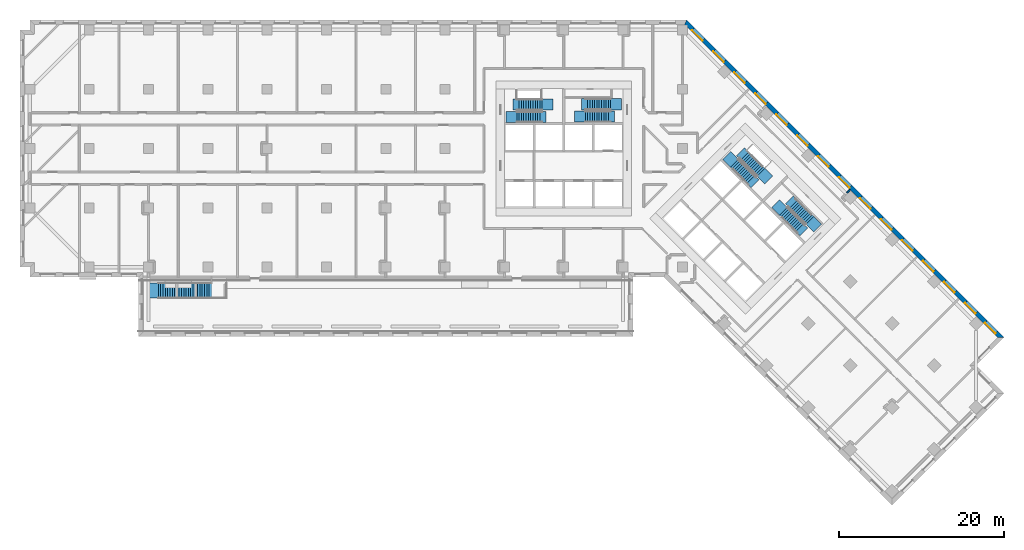
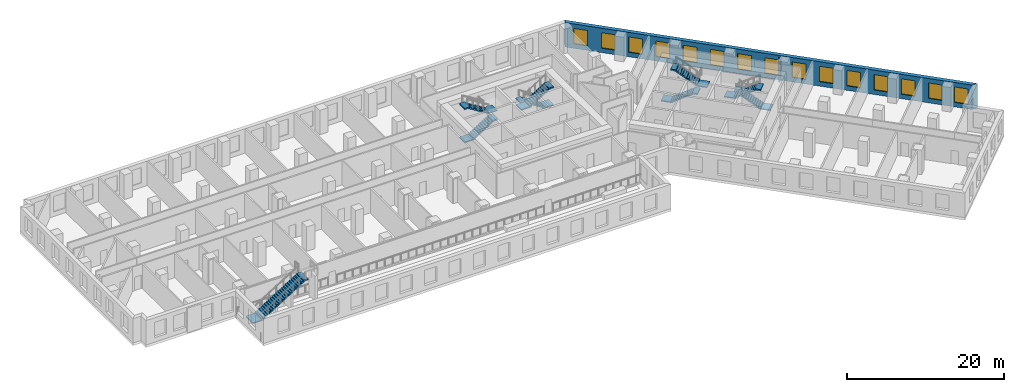
# One storey, part 11 of 14: 15 windows, 9 stair flights, 2 walls, 15 openings, 5 elements without a shape of their own.
"""IFC4 building model written with IfcOpenShell, lengths in metres."""

from ifc_helpers import new_model, si_unit, direction, frame, frame_2d, origin, place, context, subcontext, project, spatial, polyline, rectangle, outline, extrude, material, layer, layer_set, type_object, element, fill, aggregate, save


model = new_model("IFC4")

# Units and contexts
model_context = context("Model", 3, precision=1e-05, world=origin(), true_north=direction((0.0, 1.0)))
body_context = subcontext(model_context, "Body", "Model", "MODEL_VIEW")
ifc_project = project(units=[si_unit("LENGTHUNIT", "METRE"), si_unit("AREAUNIT", "SQUARE_METRE"), si_unit("VOLUMEUNIT", "CUBIC_METRE"), si_unit("PLANEANGLEUNIT", "RADIAN"), si_unit("MASSUNIT", "GRAM", prefix="KILO")], contexts=[model_context])

# Site, building, storey
site_placement = place(None, origin())
site = spatial("IfcSite", under=ifc_project, at=site_placement, CompositionType="ELEMENT")
building_placement = place(site_placement, origin())
building = spatial("IfcBuilding", under=site, at=building_placement, Name="Windrow Commons", CompositionType="ELEMENT")
storey_placement = place(building_placement, frame((0.0, 0.0, 18.6)))
storey = spatial("IfcBuildingStorey", under=building, at=storey_placement, Name="L04", CompositionType="ELEMENT", Elevation=18.6)

# Wall, openings, windows
ifc_material_1 = material(Name="Brick masonry, red clay brick", Category="masonry")
ifc_layer_1 = layer(ifc_material_1, 0.55)
ifc_layer_set_1 = layer_set([ifc_layer_1], Name="Brick facade wall 550")
wall_type_1 = type_object("IfcWallType", Name="Brick facade wall 550", PredefinedType="SOLIDWALL", material=ifc_layer_set_1)
wall_1_placement = place(storey_placement, frame((117.8434, 34.6648, 0.0), z_axis=(0.0, 0.0, 1.0), x_axis=(-0.7071067812, 0.7071067812, 0.0)))
wall_1 = element("IfcWall", 1, at=wall_1_placement, inside=storey, type_object=wall_type_1, Name="Brick facade wall L04 4", PredefinedType="SOLIDWALL", context=body_context, shape_type="SweptSolid", body=[
    extrude(outline(polyline([(-0.275, -0.275), (54.222, -0.275), (53.9942, 0.275), (0.275, 0.275), (-0.275, -0.275)])), origin(), (0.0, 0.0, 1.0), 3.8),
])
opening_1_placement = place(wall_1_placement, frame((0.8, 0.0, 0.7)))
opening_1 = element("IfcOpeningElement", 2, at=opening_1_placement, cuts=wall_1, Name="Opening W2B", PredefinedType="OPENING", context=body_context, shape_type="SweptSolid", body=[
    extrude(rectangle(XDim=1.8, YDim=2.4, at=frame_2d((0.9, 1.2))), frame((0.0, 0.285, 0.0), z_axis=(0.0, -1.0, 0.0), x_axis=(1.0, 0.0, 0.0)), (0.0, 0.0, 1.0), 0.57),
])
opening_2_placement = place(wall_1_placement, frame((4.225, 0.0, 0.7)))
opening_2 = element("IfcOpeningElement", 3, at=opening_2_placement, cuts=wall_1, Name="Opening W2B", PredefinedType="OPENING", context=body_context, shape_type="SweptSolid", body=[
    extrude(rectangle(XDim=1.8, YDim=2.4, at=frame_2d((0.9, 1.2))), frame((0.0, 0.285, 0.0), z_axis=(0.0, -1.0, 0.0), x_axis=(1.0, 0.0, 0.0)), (0.0, 0.0, 1.0), 0.57),
])
opening_3_placement = place(wall_1_placement, frame((7.825, 0.0, 0.7)))
opening_3 = element("IfcOpeningElement", 4, at=opening_3_placement, cuts=wall_1, Name="Opening W2B", PredefinedType="OPENING", context=body_context, shape_type="SweptSolid", body=[
    extrude(rectangle(XDim=1.8, YDim=2.4, at=frame_2d((0.9, 1.2))), frame((0.0, 0.285, 0.0), z_axis=(0.0, -1.0, 0.0), x_axis=(1.0, 0.0, 0.0)), (0.0, 0.0, 1.0), 0.57),
])
opening_4_placement = place(wall_1_placement, frame((11.425, 0.0, 0.7)))
opening_4 = element("IfcOpeningElement", 5, at=opening_4_placement, cuts=wall_1, Name="Opening W2B", PredefinedType="OPENING", context=body_context, shape_type="SweptSolid", body=[
    extrude(rectangle(XDim=1.8, YDim=2.4, at=frame_2d((0.9, 1.2))), frame((0.0, 0.285, 0.0), z_axis=(0.0, -1.0, 0.0), x_axis=(1.0, 0.0, 0.0)), (0.0, 0.0, 1.0), 0.57),
])
opening_5_placement = place(wall_1_placement, frame((15.025, 0.0, 0.7)))
opening_5 = element("IfcOpeningElement", 6, at=opening_5_placement, cuts=wall_1, Name="Opening W2B", PredefinedType="OPENING", context=body_context, shape_type="SweptSolid", body=[
    extrude(rectangle(XDim=1.8, YDim=2.4, at=frame_2d((0.9, 1.2))), frame((0.0, 0.285, 0.0), z_axis=(0.0, -1.0, 0.0), x_axis=(1.0, 0.0, 0.0)), (0.0, 0.0, 1.0), 0.57),
])
opening_6_placement = place(wall_1_placement, frame((18.625, 0.0, 0.7)))
opening_6 = element("IfcOpeningElement", 7, at=opening_6_placement, cuts=wall_1, Name="Opening W2B", PredefinedType="OPENING", context=body_context, shape_type="SweptSolid", body=[
    extrude(rectangle(XDim=1.8, YDim=2.4, at=frame_2d((0.9, 1.2))), frame((0.0, 0.285, 0.0), z_axis=(0.0, -1.0, 0.0), x_axis=(1.0, 0.0, 0.0)), (0.0, 0.0, 1.0), 0.57),
])
opening_7_placement = place(wall_1_placement, frame((22.225, 0.0, 0.7)))
opening_7 = element("IfcOpeningElement", 8, at=opening_7_placement, cuts=wall_1, Name="Opening W2B", PredefinedType="OPENING", context=body_context, shape_type="SweptSolid", body=[
    extrude(rectangle(XDim=1.8, YDim=2.4, at=frame_2d((0.9, 1.2))), frame((0.0, 0.285, 0.0), z_axis=(0.0, -1.0, 0.0), x_axis=(1.0, 0.0, 0.0)), (0.0, 0.0, 1.0), 0.57),
])
opening_8_placement = place(wall_1_placement, frame((25.825, 0.0, 0.7)))
opening_8 = element("IfcOpeningElement", 9, at=opening_8_placement, cuts=wall_1, Name="Opening W2B", PredefinedType="OPENING", context=body_context, shape_type="SweptSolid", body=[
    extrude(rectangle(XDim=1.8, YDim=2.4, at=frame_2d((0.9, 1.2))), frame((0.0, 0.285, 0.0), z_axis=(0.0, -1.0, 0.0), x_axis=(1.0, 0.0, 0.0)), (0.0, 0.0, 1.0), 0.57),
])
opening_9_placement = place(wall_1_placement, frame((29.425, 0.0, 0.7)))
opening_9 = element("IfcOpeningElement", 10, at=opening_9_placement, cuts=wall_1, Name="Opening W2B", PredefinedType="OPENING", context=body_context, shape_type="SweptSolid", body=[
    extrude(rectangle(XDim=1.8, YDim=2.4, at=frame_2d((0.9, 1.2))), frame((0.0, 0.285, 0.0), z_axis=(0.0, -1.0, 0.0), x_axis=(1.0, 0.0, 0.0)), (0.0, 0.0, 1.0), 0.57),
])
opening_10_placement = place(wall_1_placement, frame((33.025, 0.0, 0.7)))
opening_10 = element("IfcOpeningElement", 11, at=opening_10_placement, cuts=wall_1, Name="Opening W2B", PredefinedType="OPENING", context=body_context, shape_type="SweptSolid", body=[
    extrude(rectangle(XDim=1.8, YDim=2.4, at=frame_2d((0.9, 1.2))), frame((0.0, 0.285, 0.0), z_axis=(0.0, -1.0, 0.0), x_axis=(1.0, 0.0, 0.0)), (0.0, 0.0, 1.0), 0.57),
])
opening_11_placement = place(wall_1_placement, frame((36.625, 0.0, 0.7)))
opening_11 = element("IfcOpeningElement", 12, at=opening_11_placement, cuts=wall_1, Name="Opening W2B", PredefinedType="OPENING", context=body_context, shape_type="SweptSolid", body=[
    extrude(rectangle(XDim=1.8, YDim=2.4, at=frame_2d((0.9, 1.2))), frame((0.0, 0.285, 0.0), z_axis=(0.0, -1.0, 0.0), x_axis=(1.0, 0.0, 0.0)), (0.0, 0.0, 1.0), 0.57),
])
opening_12_placement = place(wall_1_placement, frame((40.225, 0.0, 0.7)))
opening_12 = element("IfcOpeningElement", 13, at=opening_12_placement, cuts=wall_1, Name="Opening W2B", PredefinedType="OPENING", context=body_context, shape_type="SweptSolid", body=[
    extrude(rectangle(XDim=1.8, YDim=2.4, at=frame_2d((0.9, 1.2))), frame((0.0, 0.285, 0.0), z_axis=(0.0, -1.0, 0.0), x_axis=(1.0, 0.0, 0.0)), (0.0, 0.0, 1.0), 0.57),
])
opening_13_placement = place(wall_1_placement, frame((43.825, 0.0, 0.7)))
opening_13 = element("IfcOpeningElement", 14, at=opening_13_placement, cuts=wall_1, Name="Opening W2B", PredefinedType="OPENING", context=body_context, shape_type="SweptSolid", body=[
    extrude(rectangle(XDim=1.8, YDim=2.4, at=frame_2d((0.9, 1.2))), frame((0.0, 0.285, 0.0), z_axis=(0.0, -1.0, 0.0), x_axis=(1.0, 0.0, 0.0)), (0.0, 0.0, 1.0), 0.57),
])
opening_14_placement = place(wall_1_placement, frame((47.425, 0.0, 0.7)))
opening_14 = element("IfcOpeningElement", 15, at=opening_14_placement, cuts=wall_1, Name="Opening W2B", PredefinedType="OPENING", context=body_context, shape_type="SweptSolid", body=[
    extrude(rectangle(XDim=1.8, YDim=2.4, at=frame_2d((0.9, 1.2))), frame((0.0, 0.285, 0.0), z_axis=(0.0, -1.0, 0.0), x_axis=(1.0, 0.0, 0.0)), (0.0, 0.0, 1.0), 0.57),
])
opening_15_placement = place(wall_1_placement, frame((51.0596, 0.0, 0.7)))
opening_15 = element("IfcOpeningElement", 16, at=opening_15_placement, cuts=wall_1, Name="Opening W2B", PredefinedType="OPENING", context=body_context, shape_type="SweptSolid", body=[
    extrude(rectangle(XDim=1.8, YDim=2.4, at=frame_2d((0.9, 1.2))), frame((0.0, 0.285, 0.0), z_axis=(0.0, -1.0, 0.0), x_axis=(1.0, 0.0, 0.0)), (0.0, 0.0, 1.0), 0.57),
])
ifc_material_2 = material(Name="Clear float glass in anodised aluminium frame", Category="aluminium")
window_type = type_object("IfcWindowType", Name="Window W2 podium 1800x2400", PartitioningType="SINGLE_PANEL", PredefinedType="WINDOW", material=ifc_material_2)
window_1_placement = place(opening_1_placement, origin())
window_1 = element("IfcWindow", 17, at=window_1_placement, inside=storey, type_object=window_type, Name="Window L04 4.1", OverallHeight=2.4, OverallWidth=1.8, PartitioningType="SINGLE_PANEL", PredefinedType="WINDOW", context=body_context, shape_type="SweptSolid", body=[
    extrude(rectangle(XDim=1.8, YDim=2.4, at=frame_2d((0.9, 1.2))), frame((0.0, 0.155, 0.0), z_axis=(0.0, -1.0, 0.0), x_axis=(1.0, 0.0, 0.0)), (0.0, 0.0, 1.0), 0.06),
])
fill(opening_1, window_1)
window_2_placement = place(opening_2_placement, origin())
window_2 = element("IfcWindow", 18, at=window_2_placement, inside=storey, type_object=window_type, Name="Window L04 4.2", OverallHeight=2.4, OverallWidth=1.8, PartitioningType="SINGLE_PANEL", PredefinedType="WINDOW", context=body_context, shape_type="SweptSolid", body=[
    extrude(rectangle(XDim=1.8, YDim=2.4, at=frame_2d((0.9, 1.2))), frame((0.0, 0.155, 0.0), z_axis=(0.0, -1.0, 0.0), x_axis=(1.0, 0.0, 0.0)), (0.0, 0.0, 1.0), 0.06),
])
fill(opening_2, window_2)
window_3_placement = place(opening_3_placement, origin())
window_3 = element("IfcWindow", 19, at=window_3_placement, inside=storey, type_object=window_type, Name="Window L04 4.3", OverallHeight=2.4, OverallWidth=1.8, PartitioningType="SINGLE_PANEL", PredefinedType="WINDOW", context=body_context, shape_type="SweptSolid", body=[
    extrude(rectangle(XDim=1.8, YDim=2.4, at=frame_2d((0.9, 1.2))), frame((0.0, 0.155, 0.0), z_axis=(0.0, -1.0, 0.0), x_axis=(1.0, 0.0, 0.0)), (0.0, 0.0, 1.0), 0.06),
])
fill(opening_3, window_3)
window_4_placement = place(opening_4_placement, origin())
window_4 = element("IfcWindow", 20, at=window_4_placement, inside=storey, type_object=window_type, Name="Window L04 4.4", OverallHeight=2.4, OverallWidth=1.8, PartitioningType="SINGLE_PANEL", PredefinedType="WINDOW", context=body_context, shape_type="SweptSolid", body=[
    extrude(rectangle(XDim=1.8, YDim=2.4, at=frame_2d((0.9, 1.2))), frame((0.0, 0.155, 0.0), z_axis=(0.0, -1.0, 0.0), x_axis=(1.0, 0.0, 0.0)), (0.0, 0.0, 1.0), 0.06),
])
fill(opening_4, window_4)
window_5_placement = place(opening_5_placement, origin())
window_5 = element("IfcWindow", 21, at=window_5_placement, inside=storey, type_object=window_type, Name="Window L04 4.5", OverallHeight=2.4, OverallWidth=1.8, PartitioningType="SINGLE_PANEL", PredefinedType="WINDOW", context=body_context, shape_type="SweptSolid", body=[
    extrude(rectangle(XDim=1.8, YDim=2.4, at=frame_2d((0.9, 1.2))), frame((0.0, 0.155, 0.0), z_axis=(0.0, -1.0, 0.0), x_axis=(1.0, 0.0, 0.0)), (0.0, 0.0, 1.0), 0.06),
])
fill(opening_5, window_5)
window_6_placement = place(opening_6_placement, origin())
window_6 = element("IfcWindow", 22, at=window_6_placement, inside=storey, type_object=window_type, Name="Window L04 4.6", OverallHeight=2.4, OverallWidth=1.8, PartitioningType="SINGLE_PANEL", PredefinedType="WINDOW", context=body_context, shape_type="SweptSolid", body=[
    extrude(rectangle(XDim=1.8, YDim=2.4, at=frame_2d((0.9, 1.2))), frame((0.0, 0.155, 0.0), z_axis=(0.0, -1.0, 0.0), x_axis=(1.0, 0.0, 0.0)), (0.0, 0.0, 1.0), 0.06),
])
fill(opening_6, window_6)
window_7_placement = place(opening_7_placement, origin())
window_7 = element("IfcWindow", 23, at=window_7_placement, inside=storey, type_object=window_type, Name="Window L04 4.7", OverallHeight=2.4, OverallWidth=1.8, PartitioningType="SINGLE_PANEL", PredefinedType="WINDOW", context=body_context, shape_type="SweptSolid", body=[
    extrude(rectangle(XDim=1.8, YDim=2.4, at=frame_2d((0.9, 1.2))), frame((0.0, 0.155, 0.0), z_axis=(0.0, -1.0, 0.0), x_axis=(1.0, 0.0, 0.0)), (0.0, 0.0, 1.0), 0.06),
])
fill(opening_7, window_7)
window_8_placement = place(opening_8_placement, origin())
window_8 = element("IfcWindow", 24, at=window_8_placement, inside=storey, type_object=window_type, Name="Window L04 4.8", OverallHeight=2.4, OverallWidth=1.8, PartitioningType="SINGLE_PANEL", PredefinedType="WINDOW", context=body_context, shape_type="SweptSolid", body=[
    extrude(rectangle(XDim=1.8, YDim=2.4, at=frame_2d((0.9, 1.2))), frame((0.0, 0.155, 0.0), z_axis=(0.0, -1.0, 0.0), x_axis=(1.0, 0.0, 0.0)), (0.0, 0.0, 1.0), 0.06),
])
fill(opening_8, window_8)
window_9_placement = place(opening_9_placement, origin())
window_9 = element("IfcWindow", 25, at=window_9_placement, inside=storey, type_object=window_type, Name="Window L04 4.9", OverallHeight=2.4, OverallWidth=1.8, PartitioningType="SINGLE_PANEL", PredefinedType="WINDOW", context=body_context, shape_type="SweptSolid", body=[
    extrude(rectangle(XDim=1.8, YDim=2.4, at=frame_2d((0.9, 1.2))), frame((0.0, 0.155, 0.0), z_axis=(0.0, -1.0, 0.0), x_axis=(1.0, 0.0, 0.0)), (0.0, 0.0, 1.0), 0.06),
])
fill(opening_9, window_9)
window_10_placement = place(opening_10_placement, origin())
window_10 = element("IfcWindow", 26, at=window_10_placement, inside=storey, type_object=window_type, Name="Window L04 4.10", OverallHeight=2.4, OverallWidth=1.8, PartitioningType="SINGLE_PANEL", PredefinedType="WINDOW", context=body_context, shape_type="SweptSolid", body=[
    extrude(rectangle(XDim=1.8, YDim=2.4, at=frame_2d((0.9, 1.2))), frame((0.0, 0.155, 0.0), z_axis=(0.0, -1.0, 0.0), x_axis=(1.0, 0.0, 0.0)), (0.0, 0.0, 1.0), 0.06),
])
fill(opening_10, window_10)
window_11_placement = place(opening_11_placement, origin())
window_11 = element("IfcWindow", 27, at=window_11_placement, inside=storey, type_object=window_type, Name="Window L04 4.11", OverallHeight=2.4, OverallWidth=1.8, PartitioningType="SINGLE_PANEL", PredefinedType="WINDOW", context=body_context, shape_type="SweptSolid", body=[
    extrude(rectangle(XDim=1.8, YDim=2.4, at=frame_2d((0.9, 1.2))), frame((0.0, 0.155, 0.0), z_axis=(0.0, -1.0, 0.0), x_axis=(1.0, 0.0, 0.0)), (0.0, 0.0, 1.0), 0.06),
])
fill(opening_11, window_11)
window_12_placement = place(opening_12_placement, origin())
window_12 = element("IfcWindow", 28, at=window_12_placement, inside=storey, type_object=window_type, Name="Window L04 4.12", OverallHeight=2.4, OverallWidth=1.8, PartitioningType="SINGLE_PANEL", PredefinedType="WINDOW", context=body_context, shape_type="SweptSolid", body=[
    extrude(rectangle(XDim=1.8, YDim=2.4, at=frame_2d((0.9, 1.2))), frame((0.0, 0.155, 0.0), z_axis=(0.0, -1.0, 0.0), x_axis=(1.0, 0.0, 0.0)), (0.0, 0.0, 1.0), 0.06),
])
fill(opening_12, window_12)
window_13_placement = place(opening_13_placement, origin())
window_13 = element("IfcWindow", 29, at=window_13_placement, inside=storey, type_object=window_type, Name="Window L04 4.13", OverallHeight=2.4, OverallWidth=1.8, PartitioningType="SINGLE_PANEL", PredefinedType="WINDOW", context=body_context, shape_type="SweptSolid", body=[
    extrude(rectangle(XDim=1.8, YDim=2.4, at=frame_2d((0.9, 1.2))), frame((0.0, 0.155, 0.0), z_axis=(0.0, -1.0, 0.0), x_axis=(1.0, 0.0, 0.0)), (0.0, 0.0, 1.0), 0.06),
])
fill(opening_13, window_13)
window_14_placement = place(opening_14_placement, origin())
window_14 = element("IfcWindow", 30, at=window_14_placement, inside=storey, type_object=window_type, Name="Window L04 4.14", OverallHeight=2.4, OverallWidth=1.8, PartitioningType="SINGLE_PANEL", PredefinedType="WINDOW", context=body_context, shape_type="SweptSolid", body=[
    extrude(rectangle(XDim=1.8, YDim=2.4, at=frame_2d((0.9, 1.2))), frame((0.0, 0.155, 0.0), z_axis=(0.0, -1.0, 0.0), x_axis=(1.0, 0.0, 0.0)), (0.0, 0.0, 1.0), 0.06),
])
fill(opening_14, window_14)
window_15_placement = place(opening_15_placement, origin())
window_15 = element("IfcWindow", 31, at=window_15_placement, inside=storey, type_object=window_type, Name="Window L04 4.15", OverallHeight=2.4, OverallWidth=1.8, PartitioningType="SINGLE_PANEL", PredefinedType="WINDOW", context=body_context, shape_type="SweptSolid", body=[
    extrude(rectangle(XDim=1.8, YDim=2.4, at=frame_2d((0.9, 1.2))), frame((0.0, 0.155, 0.0), z_axis=(0.0, -1.0, 0.0), x_axis=(1.0, 0.0, 0.0)), (0.0, 0.0, 1.0), 0.06),
])
fill(opening_15, window_15)

# Wall
ifc_material_3 = material(Name="Blockwork partition", Category="masonry")
ifc_layer_2 = layer(ifc_material_3, 0.2)
ifc_layer_set_2 = layer_set([ifc_layer_2], Name="IW-PARTY-200")
wall_type_2 = type_object("IfcWallType", Name="IW-PARTY-200", PredefinedType="PARTITIONING", material=ifc_layer_set_2)
wall_2_placement = place(storey_placement, frame((99.1749, 52.2371, 0.0), z_axis=(0.0, 0.0, 1.0), x_axis=(0.7070068014, 0.7072067468, 0.0)))
element("IfcWall", 32, at=wall_2_placement, inside=storey, type_object=wall_type_2, Name="W-L04-W167", PredefinedType="PARTITIONING", context=body_context, shape_type="SweptSolid", body=[
    extrude(rectangle(XDim=0.5001, YDim=0.2, at=frame_2d((0.25, 0.0))), origin(), (0.0, 0.0, 1.0), 3.8),
])

# Stair, stair flights
ifc_material_4 = material(Name="Concrete C40/50", Category="concrete")
stair_type_1 = type_object("IfcStairType", Name="Core stair", PredefinedType="HALF_TURN_STAIR", material=ifc_material_4)
placement = place(storey_placement, origin())
stair_1 = element("IfcStair", 33, at=placement, inside=storey, type_object=stair_type_1, Name="L04 Exit stair A1 core A", PredefinedType="HALF_TURN_STAIR")
ifc_material_5 = material(Name="Concrete C40/50", Category="concrete")
stair_flight_type_1 = type_object("IfcStairFlightType", Name="Core stair flight", PredefinedType="STRAIGHT", material=ifc_material_5)
stair_flight_1_placement = place(storey_placement, frame((59.1, 61.425, 0.0), z_axis=(0.0, 0.0, 1.0), x_axis=(1.0, 0.0, 0.0)))
stair_flight_1 = element("IfcStairFlight", 34, at=stair_flight_1_placement, type_object=stair_flight_type_1, Name="ST-A1 flight 1", NumberOfRisers=12, NumberOfTreads=11, PredefinedType="STRAIGHT", RiserHeight=0.175, TreadLength=0.28, context=body_context, shape_type="SweptSolid", body=[
    extrude(outline(polyline([(-1.3, -0.15), (-1.3, 0.0), (0.0, 0.0), (0.0, 0.175), (0.28, 0.175), (0.28, 0.35), (0.56, 0.35), (0.56, 0.525), (0.84, 0.525), (0.84, 0.7), (1.12, 0.7), (1.12, 0.875), (1.4, 0.875), (1.4, 1.05), (1.68, 1.05), (1.68, 1.225), (1.96, 1.225), (1.96, 1.4), (2.24, 1.4), (2.24, 1.575), (2.52, 1.575), (2.52, 1.75), (2.8, 1.75), (2.8, 1.925), (3.08, 1.925), (3.53, 1.925), (3.53, 1.725), (3.08, 1.725), (3.08, 1.7481), (0.283, 0.0), (0.283, -0.15), (-1.3, -0.15)])), frame((0.0, 0.675, 0.0), z_axis=(0.0, -1.0, 0.0), x_axis=(1.0, 0.0, 0.0)), (0.0, 0.0, 1.0), 1.35),
])
stair_flight_2_placement = place(storey_placement, frame((62.18, 62.925, 2.1), z_axis=(0.0, 0.0, 1.0), x_axis=(-1.0, 0.0, 0.0)))
stair_flight_2 = element("IfcStairFlight", 35, at=stair_flight_2_placement, type_object=stair_flight_type_1, Name="ST-A1 flight 2", NumberOfRisers=12, NumberOfTreads=11, PredefinedType="STRAIGHT", RiserHeight=0.175, TreadLength=0.28, context=body_context, shape_type="SweptSolid", body=[
    extrude(outline(polyline([(-1.3, -0.15), (-1.3, 0.0), (0.0, 0.0), (0.0, 0.175), (0.28, 0.175), (0.28, 0.35), (0.56, 0.35), (0.56, 0.525), (0.84, 0.525), (0.84, 0.7), (1.12, 0.7), (1.12, 0.875), (1.4, 0.875), (1.4, 1.05), (1.68, 1.05), (1.68, 1.225), (1.96, 1.225), (1.96, 1.4), (2.24, 1.4), (2.24, 1.575), (2.52, 1.575), (2.52, 1.75), (2.8, 1.75), (2.8, 1.925), (3.08, 1.925), (3.53, 1.925), (3.53, 1.725), (3.08, 1.725), (3.08, 1.7481), (0.283, 0.0), (0.283, -0.15), (-1.3, -0.15)])), frame((0.0, 0.675, 0.0), z_axis=(0.0, -1.0, 0.0), x_axis=(1.0, 0.0, 0.0)), (0.0, 0.0, 1.0), 1.35),
])
aggregate(stair_1, [stair_flight_1, stair_flight_2])

stair_2 = element("IfcStair", 36, at=placement, inside=storey, type_object=stair_type_1, Name="L04 Exit stair A2 core A", PredefinedType="HALF_TURN_STAIR")
stair_flight_3_placement = place(storey_placement, frame((70.5, 62.98, 0.0), z_axis=(0.0, 0.0, 1.0), x_axis=(-1.0, 0.0, 0.0)))
stair_flight_3 = element("IfcStairFlight", 37, at=stair_flight_3_placement, type_object=stair_flight_type_1, Name="ST-A2 flight 1", NumberOfRisers=12, NumberOfTreads=11, PredefinedType="STRAIGHT", RiserHeight=0.175, TreadLength=0.28, context=body_context, shape_type="SweptSolid", body=[
    extrude(outline(polyline([(-1.3, -0.15), (-1.3, 0.0), (0.0, 0.0), (0.0, 0.175), (0.28, 0.175), (0.28, 0.35), (0.56, 0.35), (0.56, 0.525), (0.84, 0.525), (0.84, 0.7), (1.12, 0.7), (1.12, 0.875), (1.4, 0.875), (1.4, 1.05), (1.68, 1.05), (1.68, 1.225), (1.96, 1.225), (1.96, 1.4), (2.24, 1.4), (2.24, 1.575), (2.52, 1.575), (2.52, 1.75), (2.8, 1.75), (2.8, 1.925), (3.08, 1.925), (3.53, 1.925), (3.53, 1.725), (3.08, 1.725), (3.08, 1.7481), (0.283, 0.0), (0.283, -0.15), (-1.3, -0.15)])), frame((0.0, 0.675, 0.0), z_axis=(0.0, -1.0, 0.0), x_axis=(1.0, 0.0, 0.0)), (0.0, 0.0, 1.0), 1.35),
])
stair_flight_4_placement = place(storey_placement, frame((67.42, 61.48, 2.1), z_axis=(0.0, 0.0, 1.0), x_axis=(1.0, 0.0, 0.0)))
stair_flight_4 = element("IfcStairFlight", 38, at=stair_flight_4_placement, type_object=stair_flight_type_1, Name="ST-A2 flight 2", NumberOfRisers=12, NumberOfTreads=11, PredefinedType="STRAIGHT", RiserHeight=0.175, TreadLength=0.28, context=body_context, shape_type="SweptSolid", body=[
    extrude(outline(polyline([(-1.3, -0.15), (-1.3, 0.0), (0.0, 0.0), (0.0, 0.175), (0.28, 0.175), (0.28, 0.35), (0.56, 0.35), (0.56, 0.525), (0.84, 0.525), (0.84, 0.7), (1.12, 0.7), (1.12, 0.875), (1.4, 0.875), (1.4, 1.05), (1.68, 1.05), (1.68, 1.225), (1.96, 1.225), (1.96, 1.4), (2.24, 1.4), (2.24, 1.575), (2.52, 1.575), (2.52, 1.75), (2.8, 1.75), (2.8, 1.925), (3.08, 1.925), (3.53, 1.925), (3.53, 1.725), (3.08, 1.725), (3.08, 1.7481), (0.283, 0.0), (0.283, -0.15), (-1.3, -0.15)])), frame((0.0, 0.675, 0.0), z_axis=(0.0, -1.0, 0.0), x_axis=(1.0, 0.0, 0.0)), (0.0, 0.0, 1.0), 1.35),
])
aggregate(stair_2, [stair_flight_3, stair_flight_4])

stair_3 = element("IfcStair", 39, at=placement, inside=storey, type_object=stair_type_1, Name="L04 Exit stair B1 core B", PredefinedType="HALF_TURN_STAIR")
stair_flight_5_placement = place(storey_placement, frame((85.5109, 55.8249, 0.0), z_axis=(0.0, 0.0, 1.0), x_axis=(0.7071067812, -0.7071067812, 0.0)))
stair_flight_5 = element("IfcStairFlight", 40, at=stair_flight_5_placement, type_object=stair_flight_type_1, Name="ST-B1 flight 1", NumberOfRisers=12, NumberOfTreads=11, PredefinedType="STRAIGHT", RiserHeight=0.175, TreadLength=0.28, context=body_context, shape_type="SweptSolid", body=[
    extrude(outline(polyline([(-1.3, -0.15), (-1.3, 0.0), (0.0, 0.0), (0.0, 0.175), (0.28, 0.175), (0.28, 0.35), (0.56, 0.35), (0.56, 0.525), (0.84, 0.525), (0.84, 0.7), (1.12, 0.7), (1.12, 0.875), (1.4, 0.875), (1.4, 1.05), (1.68, 1.05), (1.68, 1.225), (1.96, 1.225), (1.96, 1.4), (2.24, 1.4), (2.24, 1.575), (2.52, 1.575), (2.52, 1.75), (2.8, 1.75), (2.8, 1.925), (3.08, 1.925), (3.53, 1.925), (3.53, 1.725), (3.08, 1.725), (3.08, 1.7481), (0.283, 0.0), (0.283, -0.15), (-1.3, -0.15)])), frame((0.0, 0.675, 0.0), z_axis=(0.0, -1.0, 0.0), x_axis=(1.0, 0.0, 0.0)), (0.0, 0.0, 1.0), 1.35),
])
stair_flight_6_placement = place(storey_placement, frame((88.7495, 54.7077, 2.1), z_axis=(0.0, 0.0, 1.0), x_axis=(-0.7071067812, 0.7071067812, 0.0)))
stair_flight_6 = element("IfcStairFlight", 41, at=stair_flight_6_placement, type_object=stair_flight_type_1, Name="ST-B1 flight 2", NumberOfRisers=12, NumberOfTreads=11, PredefinedType="STRAIGHT", RiserHeight=0.175, TreadLength=0.28, context=body_context, shape_type="SweptSolid", body=[
    extrude(outline(polyline([(-1.3, -0.15), (-1.3, 0.0), (0.0, 0.0), (0.0, 0.175), (0.28, 0.175), (0.28, 0.35), (0.56, 0.35), (0.56, 0.525), (0.84, 0.525), (0.84, 0.7), (1.12, 0.7), (1.12, 0.875), (1.4, 0.875), (1.4, 1.05), (1.68, 1.05), (1.68, 1.225), (1.96, 1.225), (1.96, 1.4), (2.24, 1.4), (2.24, 1.575), (2.52, 1.575), (2.52, 1.75), (2.8, 1.75), (2.8, 1.925), (3.08, 1.925), (3.53, 1.925), (3.53, 1.725), (3.08, 1.725), (3.08, 1.7481), (0.283, 0.0), (0.283, -0.15), (-1.3, -0.15)])), frame((0.0, 0.675, 0.0), z_axis=(0.0, -1.0, 0.0), x_axis=(1.0, 0.0, 0.0)), (0.0, 0.0, 1.0), 1.35),
])
aggregate(stair_3, [stair_flight_5, stair_flight_6])

stair_4 = element("IfcStair", 42, at=placement, inside=storey, type_object=stair_type_1, Name="L04 Exit stair B2 core B", PredefinedType="HALF_TURN_STAIR")
stair_flight_7_placement = place(storey_placement, frame((94.6715, 48.8635, 0.0), z_axis=(0.0, 0.0, 1.0), x_axis=(-0.7071067812, 0.7071067812, 0.0)))
stair_flight_7 = element("IfcStairFlight", 43, at=stair_flight_7_placement, type_object=stair_flight_type_1, Name="ST-B2 flight 1", NumberOfRisers=12, NumberOfTreads=11, PredefinedType="STRAIGHT", RiserHeight=0.175, TreadLength=0.28, context=body_context, shape_type="SweptSolid", body=[
    extrude(outline(polyline([(-1.3, -0.15), (-1.3, 0.0), (0.0, 0.0), (0.0, 0.175), (0.28, 0.175), (0.28, 0.35), (0.56, 0.35), (0.56, 0.525), (0.84, 0.525), (0.84, 0.7), (1.12, 0.7), (1.12, 0.875), (1.4, 0.875), (1.4, 1.05), (1.68, 1.05), (1.68, 1.225), (1.96, 1.225), (1.96, 1.4), (2.24, 1.4), (2.24, 1.575), (2.52, 1.575), (2.52, 1.75), (2.8, 1.75), (2.8, 1.925), (3.08, 1.925), (3.53, 1.925), (3.53, 1.725), (3.08, 1.725), (3.08, 1.7481), (0.283, 0.0), (0.283, -0.15), (-1.3, -0.15)])), frame((0.0, 0.675, 0.0), z_axis=(0.0, -1.0, 0.0), x_axis=(1.0, 0.0, 0.0)), (0.0, 0.0, 1.0), 1.35),
])
stair_flight_8_placement = place(storey_placement, frame((91.4329, 49.9807, 2.1), z_axis=(0.0, 0.0, 1.0), x_axis=(0.7071067812, -0.7071067812, 0.0)))
stair_flight_8 = element("IfcStairFlight", 44, at=stair_flight_8_placement, type_object=stair_flight_type_1, Name="ST-B2 flight 2", NumberOfRisers=12, NumberOfTreads=11, PredefinedType="STRAIGHT", RiserHeight=0.175, TreadLength=0.28, context=body_context, shape_type="SweptSolid", body=[
    extrude(outline(polyline([(-1.3, -0.15), (-1.3, 0.0), (0.0, 0.0), (0.0, 0.175), (0.28, 0.175), (0.28, 0.35), (0.56, 0.35), (0.56, 0.525), (0.84, 0.525), (0.84, 0.7), (1.12, 0.7), (1.12, 0.875), (1.4, 0.875), (1.4, 1.05), (1.68, 1.05), (1.68, 1.225), (1.96, 1.225), (1.96, 1.4), (2.24, 1.4), (2.24, 1.575), (2.52, 1.575), (2.52, 1.75), (2.8, 1.75), (2.8, 1.925), (3.08, 1.925), (3.53, 1.925), (3.53, 1.725), (3.08, 1.725), (3.08, 1.7481), (0.283, 0.0), (0.283, -0.15), (-1.3, -0.15)])), frame((0.0, 0.675, 0.0), z_axis=(0.0, -1.0, 0.0), x_axis=(1.0, 0.0, 0.0)), (0.0, 0.0, 1.0), 1.35),
])
aggregate(stair_4, [stair_flight_7, stair_flight_8])

# Stair, stair flight
ifc_material_6 = material(Name="Concrete C40/50", Category="concrete")
stair_type_2 = type_object("IfcStairType", Name="Terrace public stair", PredefinedType="STRAIGHT_RUN_STAIR", material=ifc_material_6)
stair_5 = element("IfcStair", 45, at=placement, inside=storey, type_object=stair_type_2, Name="Public stair L04 to L05", PredefinedType="STRAIGHT_RUN_STAIR")
ifc_material_7 = material(Name="Concrete C40/50", Category="concrete")
stair_flight_type_2 = type_object("IfcStairFlightType", Name="Terrace public stair flight", PredefinedType="STRAIGHT", material=ifc_material_7)
stair_flight_9_placement = place(storey_placement, frame((15.6, 40.35, 0.0), z_axis=(0.0, 0.0, 1.0), x_axis=(1.0, 0.0, 0.0)))
stair_flight_9 = element("IfcStairFlight", 46, at=stair_flight_9_placement, type_object=stair_flight_type_2, Name="TST flight 1", NumberOfRisers=24, NumberOfTreads=23, PredefinedType="STRAIGHT", RiserHeight=0.175, TreadLength=0.28, context=body_context, shape_type="SweptSolid", body=[
    extrude(outline(polyline([(-1.3, -0.15), (-1.3, 0.0), (0.0, 0.0), (0.0, 0.175), (0.28, 0.175), (0.28, 0.35), (0.56, 0.35), (0.56, 0.525), (0.84, 0.525), (0.84, 0.7), (1.12, 0.7), (1.12, 0.875), (1.4, 0.875), (1.4, 1.05), (1.68, 1.05), (1.68, 1.225), (1.96, 1.225), (1.96, 1.4), (2.24, 1.4), (2.24, 1.575), (2.52, 1.575), (2.52, 1.75), (2.8, 1.75), (2.8, 1.925), (3.08, 1.925), (3.08, 2.1), (3.36, 2.1), (3.36, 2.275), (3.64, 2.275), (3.64, 2.45), (3.92, 2.45), (3.92, 2.625), (4.2, 2.625), (4.2, 2.8), (4.48, 2.8), (4.48, 2.975), (4.76, 2.975), (4.76, 3.15), (5.04, 3.15), (5.04, 3.325), (5.32, 3.325), (5.32, 3.5), (5.6, 3.5), (5.6, 3.675), (5.88, 3.675), (5.88, 3.85), (6.16, 3.85), (6.16, 4.025), (6.44, 4.025), (6.89, 4.025), (6.89, 3.825), (6.44, 3.825), (6.44, 3.8481), (0.283, 0.0), (0.283, -0.15), (-1.3, -0.15)])), frame((0.0, 0.9, 0.0), z_axis=(0.0, -1.0, 0.0), x_axis=(1.0, 0.0, 0.0)), (0.0, 0.0, 1.0), 1.8),
])
aggregate(stair_5, [stair_flight_9])

save(model, "model.ifc")
